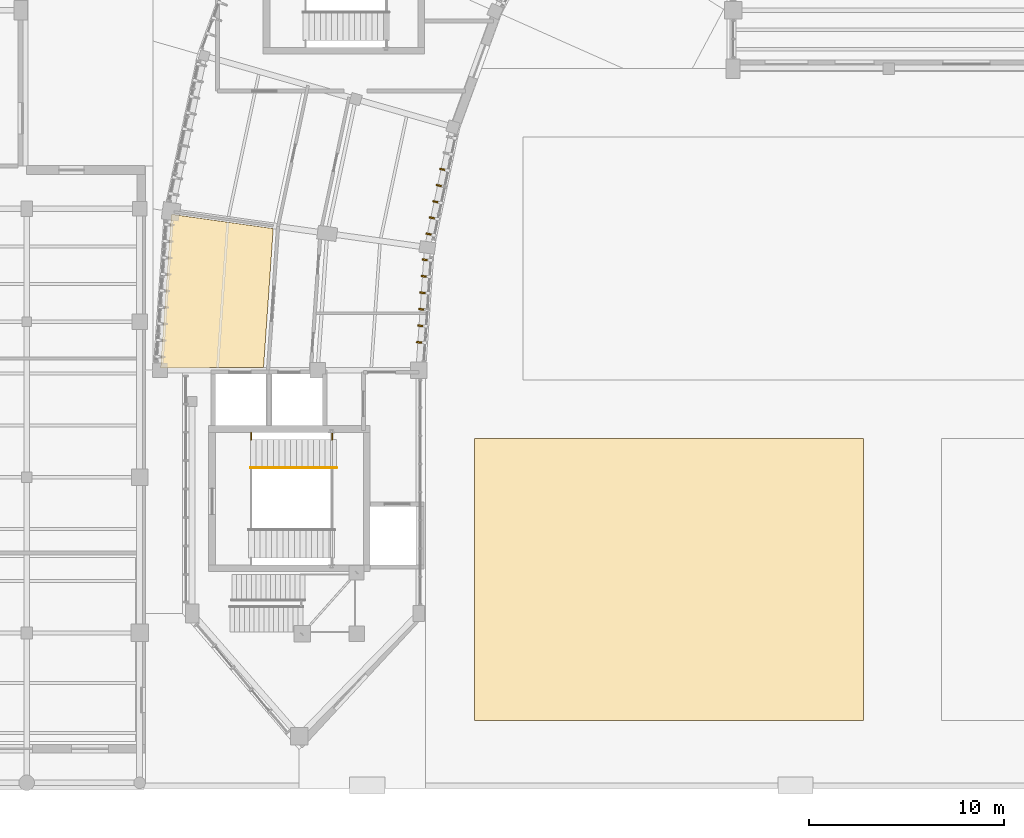
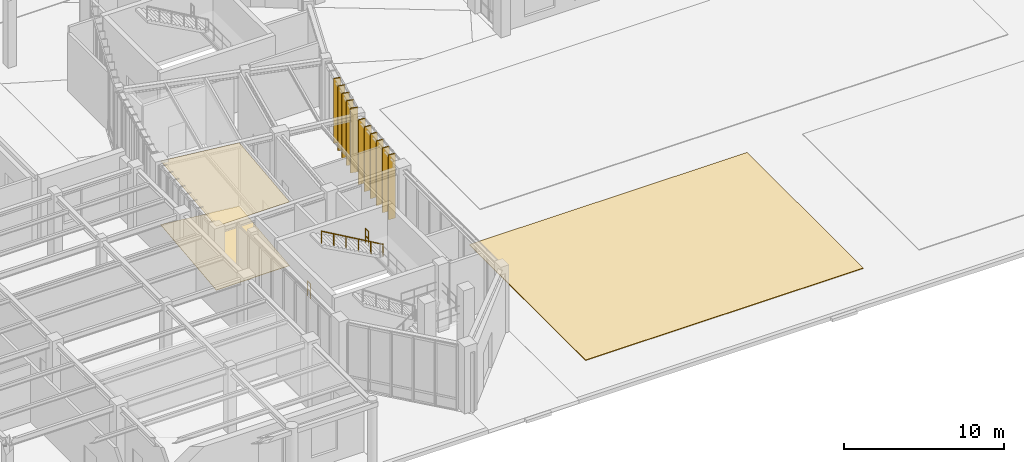
# One storey, part 55 of 68: 14 coverings, 3 railings.
"""IFC4 building model written with IfcOpenShell, lengths in metres."""

from ifc_helpers import new_model, si_unit, direction, frame, origin, origin_2d, place, context, subcontext, project, spatial, polyline, rectangle, circle, outline, extrude, material, layer, layer_set, type_object, element, save


model = new_model("IFC4")

# Units and contexts
model_context = context("Model", 3, precision=1e-05, world=origin(), true_north=direction((0.0, 1.0)))
body_context = subcontext(model_context, "Body", "Model", "MODEL_VIEW")
ifc_project = project(units=[si_unit("LENGTHUNIT", "METRE"), si_unit("AREAUNIT", "SQUARE_METRE"), si_unit("VOLUMEUNIT", "CUBIC_METRE"), si_unit("PLANEANGLEUNIT", "RADIAN"), si_unit("MASSUNIT", "GRAM", prefix="KILO"), si_unit("THERMODYNAMICTEMPERATUREUNIT", "KELVIN"), si_unit("POWERUNIT", "WATT")], contexts=[model_context])

# Site, building, storey
site_placement = place(None, origin())
site = spatial("IfcSite", under=ifc_project, at=site_placement, CompositionType="ELEMENT")
building_placement = place(site_placement, origin())
building = spatial("IfcBuilding", under=site, at=building_placement, Name="Solvatero Civic Police Headquarters", CompositionType="ELEMENT")
storey_placement = place(building_placement, origin())
storey = spatial("IfcBuildingStorey", under=building, at=storey_placement, Name="L00", CompositionType="ELEMENT", Elevation=0.0)

# Coverings
ifc_material_1 = material(Name="Mineral-Fibre Acoustic Tile", Category="gypsum")
ifc_layer_1 = layer(ifc_material_1, 0.02490234375)
ifc_layer_set_1 = layer_set([ifc_layer_1], Name="Mineral-Fibre Acoustic Tile")
covering_type_1 = type_object("IfcCoveringType", Name="COV-CEIL-AC", PredefinedType="CEILING", material=ifc_layer_set_1)
covering_1_placement = place(storey_placement, frame((0.0, 0.0, 4.85498046875)))
element("IfcCovering", 1, at=covering_1_placement, inside=storey, type_object=covering_type_1, Name="Acoustic Ceiling Patrol Sector Dispatch Office Bay 12", PredefinedType="CEILING", context=body_context, shape_type="SweptSolid", body=[
    extrude(outline(polyline([(35.378662109375, 26.1201171875), (35.93115234375, 34.01953125), (41.1689453125, 33.28369140625), (40.66943359375, 26.139892578125), (37.93994140625, 26.139892578125), (37.93212890625, 26.1396484375), (37.92431640625, 26.138427734375), (37.916748046875, 26.13671875), (37.909423828125, 26.1337890625), (37.90234375, 26.130615234375), (37.8955078125, 26.12646484375), (37.88916015625, 26.121826171875), (37.88720703125, 26.1201171875), (35.378662109375, 26.1201171875)])), origin(), (0.0, 0.0, 1.0), 0.02490234375),
])
ifc_material_2 = material(Name="Anodized Bronze Aluminium", Category="aluminium")
ifc_layer_2 = layer(ifc_material_2, 0.080078125)
ifc_layer_set_2 = layer_set([ifc_layer_2], Name="Anodized Bronze Aluminium")
covering_type_2 = type_object("IfcCoveringType", Name="COV-FIN-480", PredefinedType="CLADDING", material=ifc_layer_set_2)
for number, where, z_axis, x_axis, name in (
    (2, (49.9599609375, 36.30517578125, -0.02001953125), (0.0, 0.0, 1.0), (-0.207911690818, -0.978147600734, 0.0), "Vertical Brise-Soleil Fin 0137"),
    (3, (49.783203125, 35.4736328125, -0.02001953125), (0.0, 0.0, 1.0), (-0.207911690818, -0.978147600734, 0.0), "Vertical Brise-Soleil Fin 0138"),
    (4, (49.606689453125, 34.64208984375, -0.02001953125), (0.0, 0.0, 1.0), (-0.207911690818, -0.978147600734, 0.0), "Vertical Brise-Soleil Fin 0139"),
    (5, (49.429931640625, 33.810791015625, -0.02001953125), (0.0, 0.0, 1.0), (-0.207911690818, -0.978147600734, 0.0), "Vertical Brise-Soleil Fin 0140"),
    (6, (49.253173828125, 32.9794921875, -0.02001953125), (0.0, 0.0, 1.0), (-0.207911690818, -0.978147600734, 0.0), "Vertical Brise-Soleil Fin 0141"),
    (7, (49.066162109375, 31.671630859375, -0.02001953125), (0.0, 0.0, 1.0), (-0.069756473744, -0.99756405026, 0.0), "Vertical Brise-Soleil Fin 0151"),
    (8, (49.0068359375, 30.82373046875, -0.02001953125), (0.0, 0.0, 1.0), (-0.069756473744, -0.99756405026, 0.0), "Vertical Brise-Soleil Fin 0152"),
    (9, (48.947509765625, 29.975830078125, -0.02001953125), (0.0, 0.0, 1.0), (-0.069756473744, -0.99756405026, 0.0), "Vertical Brise-Soleil Fin 0153"),
    (10, (48.88818359375, 29.127685546875, -0.02001953125), (0.0, 0.0, 1.0), (-0.069756473744, -0.99756405026, 0.0), "Vertical Brise-Soleil Fin 0154"),
    (11, (48.828857421875, 28.27978515625, -0.02001953125), (0.0, 0.0, 1.0), (-0.069756473744, -0.99756405026, 0.0), "Vertical Brise-Soleil Fin 0155"),
    (12, (48.76953125, 27.431884765625, -0.02001953125), (0.0, 0.0, 1.0), (-0.069756473744, -0.99756405026, 0.0), "Vertical Brise-Soleil Fin 0156"),
):
    element("IfcCovering", number, at=place(storey_placement, frame(where, z_axis=z_axis, x_axis=x_axis)), inside=storey, type_object=covering_type_2, Name=name, PredefinedType="CLADDING", context=body_context, shape_type="SweptSolid", body=[
        extrude(rectangle(XDim=0.080078125, YDim=0.47998046875, at=origin_2d()), origin(), (0.0, 0.0, 1.0), 4.919921875),
    ])
ifc_material_3 = material(Name="Venetian Terrazzo Stone", Category="masonry")
ifc_layer_3 = layer(ifc_material_3, 0.034912109375)
ifc_layer_set_3 = layer_set([ifc_layer_3], Name="Venetian Terrazzo Stone")
covering_type_3 = type_object("IfcCoveringType", Name="COV-FLR-TER", PredefinedType="FLOORING", material=ifc_layer_set_3)
covering_2_placement = place(storey_placement, origin())
element("IfcCovering", 13, at=covering_2_placement, inside=storey, type_object=covering_type_3, Name="Flooring Patrol Sector Dispatch Office Bay 12", PredefinedType="FLOORING", context=body_context, shape_type="SweptSolid", body=[
    extrude(outline(polyline([(35.378662109375, 26.1201171875), (35.93115234375, 34.01953125), (41.1689453125, 33.28369140625), (40.66943359375, 26.139892578125), (37.93994140625, 26.139892578125), (37.93212890625, 26.1396484375), (37.92431640625, 26.138427734375), (37.916748046875, 26.13671875), (37.909423828125, 26.1337890625), (37.90234375, 26.130615234375), (37.8955078125, 26.12646484375), (37.88916015625, 26.121826171875), (37.88720703125, 26.1201171875), (35.378662109375, 26.1201171875)])), origin(), (0.0, 0.0, 1.0), 0.034912109375),
])
ifc_material_4 = material(Name="Lombard Terracotta Clay Tile", Category="masonry")
ifc_layer_4 = layer(ifc_material_4, 0.06005859375)
ifc_layer_set_4 = layer_set([ifc_layer_4], Name="Lombard Terracotta Clay Tile")
covering_type_4 = type_object("IfcCoveringType", Name="COV-RF-TILE", PredefinedType="ROOFING", material=ifc_layer_set_4)
covering_3_placement = place(storey_placement, origin())
element("IfcCovering", 14, at=covering_3_placement, inside=storey, type_object=covering_type_4, Name="Civic Forecourt Parterre PARVIS-LAWN-W", PredefinedType="FLOORING", context=body_context, shape_type="SweptSolid", body=[
    extrude(outline(polyline([(51.5, 8.0), (71.5, 8.0), (71.5, 22.5), (51.5, 22.5), (51.5, 8.0)])), origin(), (0.0, 0.0, 1.0), 0.050048828125),
])

# Railings
ifc_material_5 = material(Name="Painted Galvanized Steel", Category="steel")
railing_type_1 = type_object("IfcRailingType", Name="RL-GRD-110", PredefinedType="GUARDRAIL", material=ifc_material_5)
for number, where, name in (
    (15, (40.030029296875, 22.429931640625, 0.0), "ST-C1 L00 Floor Well North Slot Guardrail"),
    (16, (44.195068359375, 22.429931640625, 2.550048828125), "ST-C1 L00 Half-Landing North Slot Guardrail"),
):
    element("IfcRailing", number, at=place(storey_placement, frame(where)), inside=storey, type_object=railing_type_1, Name=name, PredefinedType="GUARDRAIL", context=body_context, shape_type="SweptSolid", body=[
        extrude(circle(Radius=0.02392578125, at=origin_2d()), frame((0.0, 0.0, 1.09619140625), z_axis=(0.0, 1.0, 0.0), x_axis=(-1.0, 0.0, 0.0)), (0.0, 0.0, 1.0), 0.360107421875),
        extrude(circle(Radius=0.02392578125, at=origin_2d()), frame((0.0, 0.0, 0.5361328125), z_axis=(0.0, 1.0, 0.0), x_axis=(-1.0, 0.0, 0.0)), (0.0, 0.0, 1.0), 0.360107421875),
        extrude(circle(Radius=0.02099609375, at=origin_2d()), origin(), (0.0, 0.0, 1.0), 1.072021484375),
        extrude(circle(Radius=0.02099609375, at=origin_2d()), frame((0.0, 0.360107421875, 0.0)), (0.0, 0.0, 1.0), 1.072021484375),
    ])
ifc_material_6 = material(Name="Brushed Stainless Steel", Category="steel")
railing_type_2 = type_object("IfcRailingType", Name="RL-HND-092", PredefinedType="HANDRAIL", material=ifc_material_6)
railing_placement = place(storey_placement, frame((44.425048828125, 21.0, 2.550048828125)))
element("IfcRailing", 17, at=railing_placement, inside=storey, type_object=railing_type_2, Name="ST-C1 L00 Flight 2 Handrail", PredefinedType="HANDRAIL", context=body_context, shape_type="SweptSolid", body=[
    extrude(circle(Radius=0.02392578125, at=origin_2d()), frame((0.0, 0.0, 0.89599609375), z_axis=(-0.866428212428, 0.0, 0.499301665038), x_axis=(0.0, -1.0, 0.0)), (0.0, 0.0, 1.0), 5.107177734375),
    extrude(circle(Radius=0.02099609375, at=origin_2d()), origin(), (0.0, 0.0, 1.0), 0.871826171875),
    extrude(circle(Radius=0.02099609375, at=origin_2d()), frame((-0.885009765625, 0.0, 0.510009765625)), (0.0, 0.0, 1.0), 0.871826171875),
    extrude(circle(Radius=0.02099609375, at=origin_2d()), frame((-1.77001953125, 0.0, 1.02001953125)), (0.0, 0.0, 1.0), 0.871826171875),
    extrude(circle(Radius=0.02099609375, at=origin_2d()), frame((-2.655029296875, 0.0, 1.530029296875)), (0.0, 0.0, 1.0), 0.871826171875),
    extrude(circle(Radius=0.02099609375, at=origin_2d()), frame((-3.5400390625, 0.0, 2.0400390625)), (0.0, 0.0, 1.0), 0.871826171875),
    extrude(circle(Radius=0.02099609375, at=origin_2d()), frame((-4.425048828125, 0.0, 2.550048828125)), (0.0, 0.0, 1.0), 0.871826171875),
])

save(model, "model.ifc")
